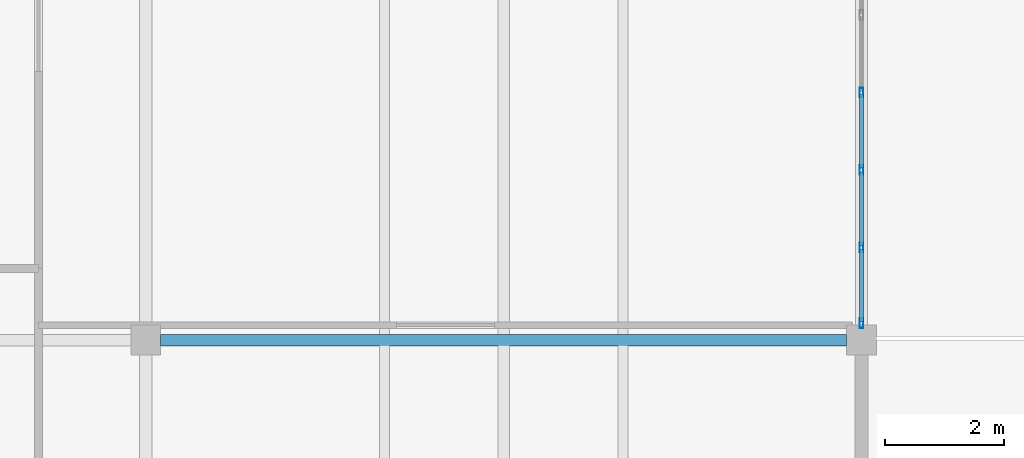
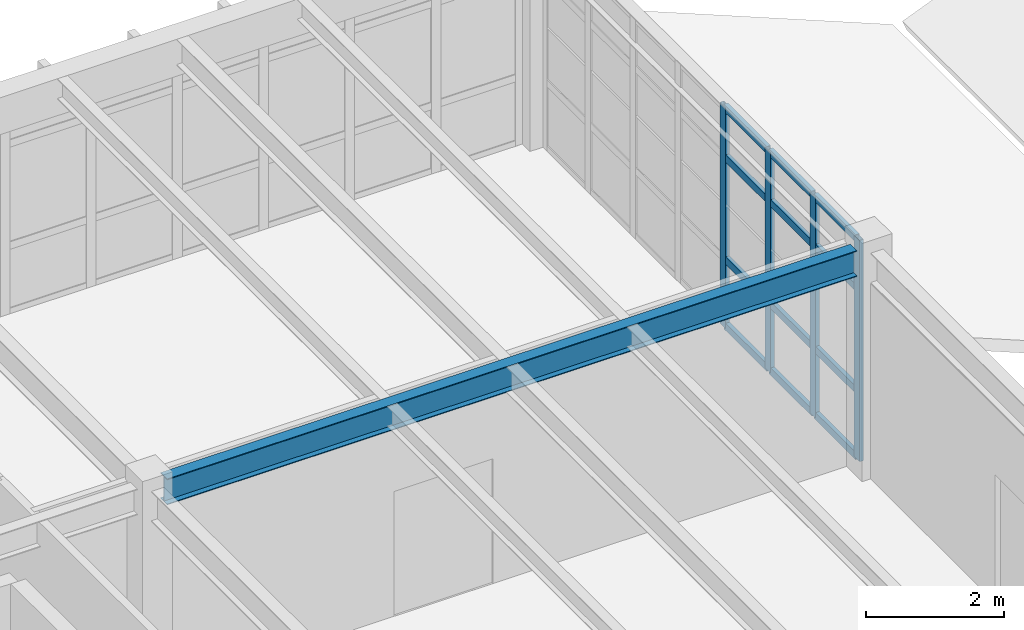
# One storey, part 19 of 83: 16 members, 1 beam, 1 element without a shape of its own.
"""IFC4 building model written with IfcOpenShell, lengths in metres."""

from ifc_helpers import new_model, si_unit, direction, frame, origin, origin_2d, place, context, subcontext, project, spatial, hollow_rectangle, i_section, extrude, material, layer, layer_set, material_profile, profile_set, type_object, element, aggregate, save


model = new_model("IFC4")

# Units and contexts
model_context = context("Model", 3, precision=1e-05, world=origin(), true_north=direction((0.0, 1.0)))
body_context = subcontext(model_context, "Body", "Model", "MODEL_VIEW")
ifc_project = project(units=[si_unit("LENGTHUNIT", "METRE"), si_unit("AREAUNIT", "SQUARE_METRE"), si_unit("VOLUMEUNIT", "CUBIC_METRE"), si_unit("PLANEANGLEUNIT", "RADIAN"), si_unit("MASSUNIT", "GRAM", prefix="KILO")], contexts=[model_context])

# Site, building, storey
site_placement = place(None, origin())
site = spatial("IfcSite", under=ifc_project, at=site_placement, CompositionType="ELEMENT")
building_placement = place(site_placement, origin())
building = spatial("IfcBuilding", under=site, at=building_placement, Name="Pandanus Reach Market Hall", CompositionType="ELEMENT")
storey_placement = place(building_placement, frame((0.0, 0.0, 10.199951171875)))
storey = spatial("IfcBuildingStorey", under=building, at=storey_placement, Name="L02", CompositionType="ELEMENT", Elevation=10.199951171875)

# Beam
ifc_material_1 = material(Name="Steel Grade 350 (350 MPa)", Category="steel")
ifc_material_profile_1 = material_profile(ifc_material_1, i_section(OverallWidth=0.18994140625, OverallDepth=0.45703125, WebThickness=0.009033203125, FlangeThickness=0.014404296875, at=origin_2d()), Name="460UB74.6", Category="LoadBearing")
ifc_profile_set_1 = profile_set([ifc_material_profile_1], Name="Steel Grade 350 (350 MPa)")
beam_type = type_object("IfcBeamType", Name="BM-UB460-I", PredefinedType="BEAM", material=ifc_profile_set_1)
beam_placement = place(storey_placement, frame((12.248046875, 19.199951171875, 3.751220703125), z_axis=(1.0, 0.0, 0.0), x_axis=(0.0, 1.0, 0.0)))
element("IfcBeam", 1, at=beam_placement, inside=storey, type_object=beam_type, Name="Framing beam BM-UB460-I L02.1016", PredefinedType="BEAM", context=body_context, shape_type="SweptSolid", body=[
    extrude(i_section(OverallWidth=0.18994140625, OverallDepth=0.45703125, WebThickness=0.009033203125, FlangeThickness=0.014404296875, at=origin_2d()), origin(), (0.0, 0.0, 1.0), 11.50390625),
])

# Curtain wall, members
ifc_material_2 = material(Name="Bronze anodised aluminium and low-E glass", Category="aluminium")
ifc_layer = layer(ifc_material_2, 0.159912109375, Name="CW-24")
ifc_layer_set = layer_set([ifc_layer], Name="Bronze anodised aluminium and low-E glass")
curtain_wall_type = type_object("IfcCurtainWallType", Name="CW-24", PredefinedType="NOTDEFINED", material=ifc_layer_set)
curtain_wall_placement = place(storey_placement, origin())
curtain_wall = element("IfcCurtainWall", 2, at=curtain_wall_placement, inside=storey, type_object=curtain_wall_type, Name="Glazed curtain wall CW-24 CW-0069", PredefinedType="NOTDEFINED")
ifc_material_3 = material(Name="Bronze anodised aluminium", Category="aluminium")
ifc_material_profile_2 = material_profile(ifc_material_3, hollow_rectangle(XDim=0.06494140625, YDim=0.159912109375, WallThickness=0.00390625, at=origin_2d()), Name="ALU65x160", Category="LoadBearing")
ifc_profile_set_2 = profile_set([ifc_material_profile_2], Name="Bronze anodised aluminium")
member_type_1 = type_object("IfcMemberType", Name="CW-M1", PredefinedType="MULLION", material=ifc_profile_set_2)
member_1_placement = place(storey_placement, frame((24.0, 19.482421875, 0.0), z_axis=(0.0, 0.0, 1.0), x_axis=(-1.0, 0.0, 0.0)))
member_1 = element("IfcMember", 3, at=member_1_placement, type_object=member_type_1, Name="CW-24 mullion 1", PredefinedType="MULLION", context=body_context, shape_type="SweptSolid", body=[
    extrude(hollow_rectangle(XDim=0.06494140625, YDim=0.159912109375, WallThickness=0.00390625, at=origin_2d()), origin(), (0.0, 0.0, 1.0), 3.900146484375),
])
member_2_placement = place(storey_placement, frame((24.0, 20.75, 0.0), z_axis=(0.0, 0.0, 1.0), x_axis=(-1.0, 0.0, 0.0)))
member_2 = element("IfcMember", 4, at=member_2_placement, type_object=member_type_1, Name="CW-24 mullion 2", PredefinedType="MULLION", context=body_context, shape_type="SweptSolid", body=[
    extrude(hollow_rectangle(XDim=0.06494140625, YDim=0.159912109375, WallThickness=0.00390625, at=origin_2d()), origin(), (0.0, 0.0, 1.0), 3.900146484375),
])
member_3_placement = place(storey_placement, frame((24.0, 22.050048828125, 0.0), z_axis=(0.0, 0.0, 1.0), x_axis=(-1.0, 0.0, 0.0)))
member_3 = element("IfcMember", 5, at=member_3_placement, type_object=member_type_1, Name="CW-24 mullion 3", PredefinedType="MULLION", context=body_context, shape_type="SweptSolid", body=[
    extrude(hollow_rectangle(XDim=0.06494140625, YDim=0.159912109375, WallThickness=0.00390625, at=origin_2d()), origin(), (0.0, 0.0, 1.0), 3.900146484375),
])
member_4_placement = place(storey_placement, frame((24.0, 23.35009765625, 0.0), z_axis=(0.0, 0.0, 1.0), x_axis=(-1.0, 0.0, 0.0)))
member_4 = element("IfcMember", 6, at=member_4_placement, type_object=member_type_1, Name="CW-24 mullion 4", PredefinedType="MULLION", context=body_context, shape_type="SweptSolid", body=[
    extrude(hollow_rectangle(XDim=0.06494140625, YDim=0.159912109375, WallThickness=0.00390625, at=origin_2d()), origin(), (0.0, 0.0, 1.0), 3.900146484375),
])
ifc_material_profile_3 = material_profile(ifc_material_3, hollow_rectangle(XDim=0.06494140625, YDim=0.1298828125, WallThickness=0.00390625, at=origin_2d()), Name="ALU65x130", Category="LoadBearing")
ifc_profile_set_3 = profile_set([ifc_material_profile_3], Name="Bronze anodised aluminium")
member_type_2 = type_object("IfcMemberType", Name="CW-T1", PredefinedType="USERDEFINED", material=ifc_profile_set_3)
member_5_placement = place(storey_placement, frame((24.0, 19.514892578125, 0.032470703125), z_axis=(0.0, 1.0, 0.0), x_axis=(-1.0, 0.0, 0.0)))
member_5 = element("IfcMember", 7, at=member_5_placement, type_object=member_type_2, Name="CW-24 transom 1.1", ObjectType="TRANSOM", PredefinedType="USERDEFINED", context=body_context, shape_type="SweptSolid", body=[
    extrude(hollow_rectangle(XDim=0.06494140625, YDim=0.1298828125, WallThickness=0.00390625, at=origin_2d()), origin(), (0.0, 0.0, 1.0), 1.20263671875),
])
member_6_placement = place(storey_placement, frame((24.0, 19.514892578125, 1.199951171875), z_axis=(0.0, 1.0, 0.0), x_axis=(-1.0, 0.0, 0.0)))
member_6 = element("IfcMember", 8, at=member_6_placement, type_object=member_type_2, Name="CW-24 transom 1.2", ObjectType="TRANSOM", PredefinedType="USERDEFINED", context=body_context, shape_type="SweptSolid", body=[
    extrude(hollow_rectangle(XDim=0.06494140625, YDim=0.1298828125, WallThickness=0.00390625, at=origin_2d()), origin(), (0.0, 0.0, 1.0), 1.20263671875),
])
member_7_placement = place(storey_placement, frame((24.0, 19.514892578125, 3.0), z_axis=(0.0, 1.0, 0.0), x_axis=(-1.0, 0.0, 0.0)))
member_7 = element("IfcMember", 9, at=member_7_placement, type_object=member_type_2, Name="CW-24 transom 1.3", ObjectType="TRANSOM", PredefinedType="USERDEFINED", context=body_context, shape_type="SweptSolid", body=[
    extrude(hollow_rectangle(XDim=0.06494140625, YDim=0.1298828125, WallThickness=0.00390625, at=origin_2d()), origin(), (0.0, 0.0, 1.0), 1.20263671875),
])
member_8_placement = place(storey_placement, frame((24.0, 19.514892578125, 3.867431640625), z_axis=(0.0, 1.0, 0.0), x_axis=(-1.0, 0.0, 0.0)))
member_8 = element("IfcMember", 10, at=member_8_placement, type_object=member_type_2, Name="CW-24 transom 1.4", ObjectType="TRANSOM", PredefinedType="USERDEFINED", context=body_context, shape_type="SweptSolid", body=[
    extrude(hollow_rectangle(XDim=0.06494140625, YDim=0.1298828125, WallThickness=0.00390625, at=origin_2d()), origin(), (0.0, 0.0, 1.0), 1.20263671875),
])
member_9_placement = place(storey_placement, frame((24.0, 20.782470703125, 0.032470703125), z_axis=(0.0, 1.0, 0.0), x_axis=(-1.0, 0.0, 0.0)))
member_9 = element("IfcMember", 11, at=member_9_placement, type_object=member_type_2, Name="CW-24 transom 2.1", ObjectType="TRANSOM", PredefinedType="USERDEFINED", context=body_context, shape_type="SweptSolid", body=[
    extrude(hollow_rectangle(XDim=0.06494140625, YDim=0.1298828125, WallThickness=0.00390625, at=origin_2d()), origin(), (0.0, 0.0, 1.0), 1.235107421875),
])
member_10_placement = place(storey_placement, frame((24.0, 20.782470703125, 1.199951171875), z_axis=(0.0, 1.0, 0.0), x_axis=(-1.0, 0.0, 0.0)))
member_10 = element("IfcMember", 12, at=member_10_placement, type_object=member_type_2, Name="CW-24 transom 2.2", ObjectType="TRANSOM", PredefinedType="USERDEFINED", context=body_context, shape_type="SweptSolid", body=[
    extrude(hollow_rectangle(XDim=0.06494140625, YDim=0.1298828125, WallThickness=0.00390625, at=origin_2d()), origin(), (0.0, 0.0, 1.0), 1.235107421875),
])
member_11_placement = place(storey_placement, frame((24.0, 20.782470703125, 3.0), z_axis=(0.0, 1.0, 0.0), x_axis=(-1.0, 0.0, 0.0)))
member_11 = element("IfcMember", 13, at=member_11_placement, type_object=member_type_2, Name="CW-24 transom 2.3", ObjectType="TRANSOM", PredefinedType="USERDEFINED", context=body_context, shape_type="SweptSolid", body=[
    extrude(hollow_rectangle(XDim=0.06494140625, YDim=0.1298828125, WallThickness=0.00390625, at=origin_2d()), origin(), (0.0, 0.0, 1.0), 1.235107421875),
])
member_12_placement = place(storey_placement, frame((24.0, 20.782470703125, 3.867431640625), z_axis=(0.0, 1.0, 0.0), x_axis=(-1.0, 0.0, 0.0)))
member_12 = element("IfcMember", 14, at=member_12_placement, type_object=member_type_2, Name="CW-24 transom 2.4", ObjectType="TRANSOM", PredefinedType="USERDEFINED", context=body_context, shape_type="SweptSolid", body=[
    extrude(hollow_rectangle(XDim=0.06494140625, YDim=0.1298828125, WallThickness=0.00390625, at=origin_2d()), origin(), (0.0, 0.0, 1.0), 1.235107421875),
])
member_13_placement = place(storey_placement, frame((24.0, 22.08251953125, 0.032470703125), z_axis=(0.0, 1.0, 0.0), x_axis=(-1.0, 0.0, 0.0)))
member_13 = element("IfcMember", 15, at=member_13_placement, type_object=member_type_2, Name="CW-24 transom 3.1", ObjectType="TRANSOM", PredefinedType="USERDEFINED", context=body_context, shape_type="SweptSolid", body=[
    extrude(hollow_rectangle(XDim=0.06494140625, YDim=0.1298828125, WallThickness=0.00390625, at=origin_2d()), origin(), (0.0, 0.0, 1.0), 1.23486328125),
])
member_14_placement = place(storey_placement, frame((24.0, 22.08251953125, 1.199951171875), z_axis=(0.0, 1.0, 0.0), x_axis=(-1.0, 0.0, 0.0)))
member_14 = element("IfcMember", 16, at=member_14_placement, type_object=member_type_2, Name="CW-24 transom 3.2", ObjectType="TRANSOM", PredefinedType="USERDEFINED", context=body_context, shape_type="SweptSolid", body=[
    extrude(hollow_rectangle(XDim=0.06494140625, YDim=0.1298828125, WallThickness=0.00390625, at=origin_2d()), origin(), (0.0, 0.0, 1.0), 1.23486328125),
])
member_15_placement = place(storey_placement, frame((24.0, 22.08251953125, 3.0), z_axis=(0.0, 1.0, 0.0), x_axis=(-1.0, 0.0, 0.0)))
member_15 = element("IfcMember", 17, at=member_15_placement, type_object=member_type_2, Name="CW-24 transom 3.3", ObjectType="TRANSOM", PredefinedType="USERDEFINED", context=body_context, shape_type="SweptSolid", body=[
    extrude(hollow_rectangle(XDim=0.06494140625, YDim=0.1298828125, WallThickness=0.00390625, at=origin_2d()), origin(), (0.0, 0.0, 1.0), 1.23486328125),
])
member_16_placement = place(storey_placement, frame((24.0, 22.08251953125, 3.867431640625), z_axis=(0.0, 1.0, 0.0), x_axis=(-1.0, 0.0, 0.0)))
member_16 = element("IfcMember", 18, at=member_16_placement, type_object=member_type_2, Name="CW-24 transom 3.4", ObjectType="TRANSOM", PredefinedType="USERDEFINED", context=body_context, shape_type="SweptSolid", body=[
    extrude(hollow_rectangle(XDim=0.06494140625, YDim=0.1298828125, WallThickness=0.00390625, at=origin_2d()), origin(), (0.0, 0.0, 1.0), 1.23486328125),
])
aggregate(curtain_wall, [member_1, member_2, member_3, member_4, member_5, member_6, member_7, member_8, member_9, member_10, member_11, member_12, member_13, member_14, member_15, member_16])

save(model, "model.ifc")
